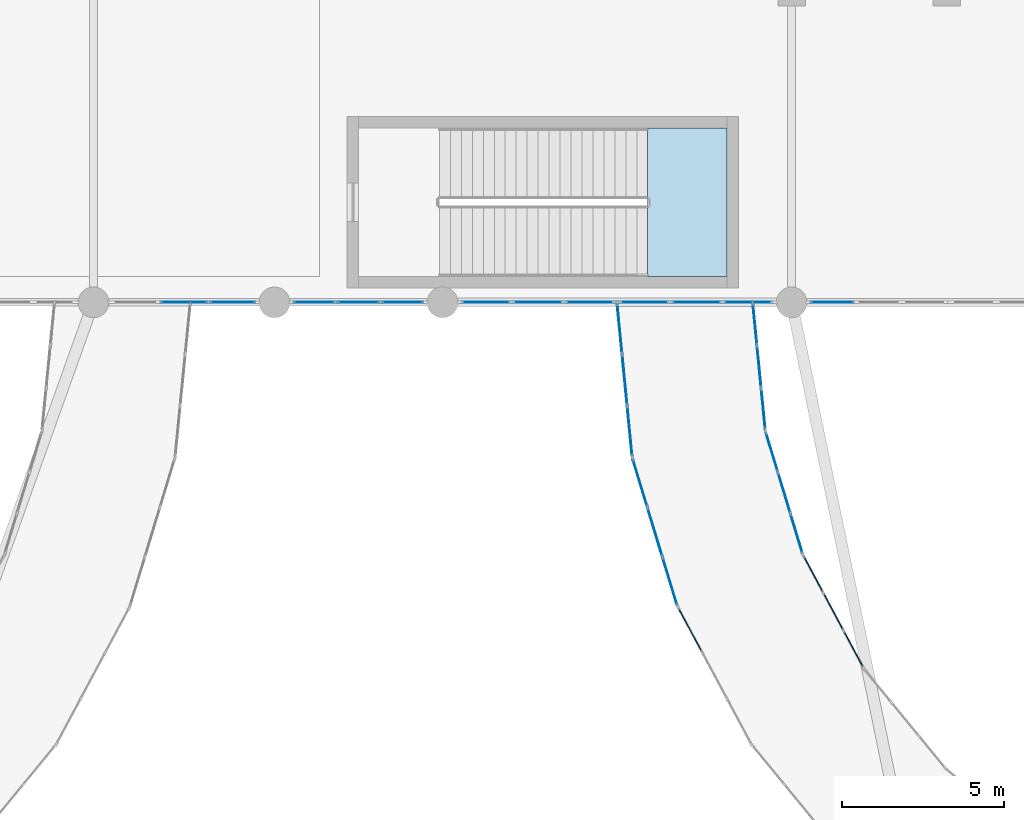
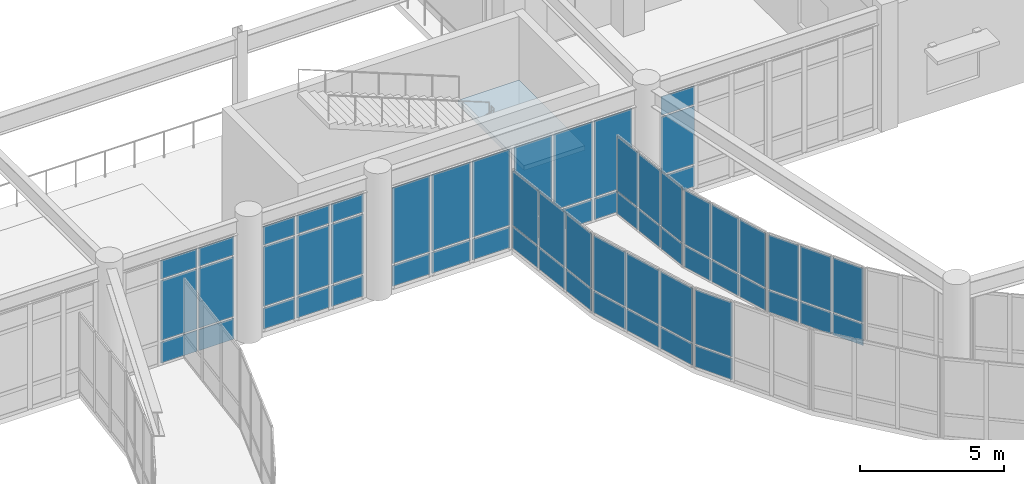
# One storey, part 43 of 72: 62 plates, 1 slab, 12 elements without a shape of their own.
"""IFC4 building model written with IfcOpenShell, lengths in metres."""

from ifc_helpers import new_model, si_unit, direction, frame, origin, origin_2d, place, context, subcontext, project, spatial, polyline, rectangle, outline, extrude, material, layer, layer_set, type_object, element, aggregate, save


model = new_model("IFC4")

# Units and contexts
model_context = context("Model", 3, precision=1e-05, world=origin(), true_north=direction((0.0, 1.0)))
body_context = subcontext(model_context, "Body", "Model", "MODEL_VIEW")
ifc_project = project(units=[si_unit("LENGTHUNIT", "METRE"), si_unit("AREAUNIT", "SQUARE_METRE"), si_unit("VOLUMEUNIT", "CUBIC_METRE"), si_unit("PLANEANGLEUNIT", "RADIAN"), si_unit("MASSUNIT", "GRAM", prefix="KILO")], contexts=[model_context])

# Site, building, storey
site_placement = place(None, origin())
site = spatial("IfcSite", under=ifc_project, at=site_placement, CompositionType="ELEMENT")
building_placement = place(site_placement, origin())
building = spatial("IfcBuilding", under=site, at=building_placement, Name="Veldera Park Congress Hotel", CompositionType="ELEMENT")
storey_placement = place(building_placement, frame((0.0, 0.0, 5.39990234375)))
storey = spatial("IfcBuildingStorey", under=building, at=storey_placement, Name="L01", CompositionType="ELEMENT", Elevation=5.39990234375)

# Curtain wall, plates
ifc_material_1 = material(Name="Low-E Triple Insulating Glass Unit (SHGC 0.22)", Category="glass")
curtain_wall_type_1 = type_object("IfcCurtainWallType", Name="CW-POD", PredefinedType="NOTDEFINED", material=ifc_material_1)
curtain_wall_1_placement = place(storey_placement, origin())
curtain_wall_1 = element("IfcCurtainWall", 1, at=curtain_wall_1_placement, inside=storey, type_object=curtain_wall_type_1, Name="L01 Curtain Wall CW3-V2S-L01-033", PredefinedType="NOTDEFINED")
ifc_layer_1 = layer(ifc_material_1, 0.028076171875)
ifc_layer_set_1 = layer_set([ifc_layer_1], Name="Low-E Triple Insulating Glass Unit (SHGC 0.22)")
plate_type = type_object("IfcPlateType", Name="CWP-IGU28", PredefinedType="CURTAIN_PANEL", material=ifc_layer_set_1)
plate_1_placement = place(storey_placement, frame((22.800048828125, 17.39990234375, 0.0751953125), z_axis=(0.0, 0.0, 1.0), x_axis=(1.0, 0.0, 0.0)))
plate_1 = element("IfcPlate", 2, at=plate_1_placement, type_object=plate_type, Name="CW-POD panel 2.1", PredefinedType="CURTAIN_PANEL", context=body_context, shape_type="SweptSolid", body=[
    extrude(rectangle(XDim=1.4482421875, YDim=0.028076171875, at=origin_2d()), origin(), (0.0, 0.0, 1.0), 0.887451171875),
])
plate_2_placement = place(storey_placement, frame((22.800048828125, 17.39990234375, 1.03759765625), z_axis=(0.0, 0.0, 1.0), x_axis=(1.0, 0.0, 0.0)))
plate_2 = element("IfcPlate", 3, at=plate_2_placement, type_object=plate_type, Name="CW-POD panel 2.2", PredefinedType="CURTAIN_PANEL", context=body_context, shape_type="SweptSolid", body=[
    extrude(rectangle(XDim=1.4482421875, YDim=0.028076171875, at=origin_2d()), origin(), (0.0, 0.0, 1.0), 2.5380859375),
])
plate_3_placement = place(storey_placement, frame((22.800048828125, 17.39990234375, 3.650634765625), z_axis=(0.0, 0.0, 1.0), x_axis=(1.0, 0.0, 0.0)))
plate_3 = element("IfcPlate", 4, at=plate_3_placement, type_object=plate_type, Name="CW-POD panel 2.3", PredefinedType="CURTAIN_PANEL", context=body_context, shape_type="SweptSolid", body=[
    extrude(rectangle(XDim=1.4482421875, YDim=0.028076171875, at=origin_2d()), origin(), (0.0, 0.0, 1.0), 0.78759765625),
])
plate_4_placement = place(storey_placement, frame((24.3046875, 17.39990234375, 0.0751953125), z_axis=(0.0, 0.0, 1.0), x_axis=(1.0, 0.0, 0.0)))
plate_4 = element("IfcPlate", 5, at=plate_4_placement, type_object=plate_type, Name="CW-POD panel 3.1", PredefinedType="CURTAIN_PANEL", context=body_context, shape_type="SweptSolid", body=[
    extrude(rectangle(XDim=1.410888671875, YDim=0.028076171875, at=origin_2d()), origin(), (0.0, 0.0, 1.0), 0.887451171875),
])
plate_5_placement = place(storey_placement, frame((24.3046875, 17.39990234375, 1.03759765625), z_axis=(0.0, 0.0, 1.0), x_axis=(1.0, 0.0, 0.0)))
plate_5 = element("IfcPlate", 6, at=plate_5_placement, type_object=plate_type, Name="CW-POD panel 3.2", PredefinedType="CURTAIN_PANEL", context=body_context, shape_type="SweptSolid", body=[
    extrude(rectangle(XDim=1.410888671875, YDim=0.028076171875, at=origin_2d()), origin(), (0.0, 0.0, 1.0), 2.5380859375),
])
plate_6_placement = place(storey_placement, frame((24.3046875, 17.39990234375, 3.650634765625), z_axis=(0.0, 0.0, 1.0), x_axis=(1.0, 0.0, 0.0)))
plate_6 = element("IfcPlate", 7, at=plate_6_placement, type_object=plate_type, Name="CW-POD panel 3.3", PredefinedType="CURTAIN_PANEL", context=body_context, shape_type="SweptSolid", body=[
    extrude(rectangle(XDim=1.410888671875, YDim=0.028076171875, at=origin_2d()), origin(), (0.0, 0.0, 1.0), 0.78759765625),
])
aggregate(curtain_wall_1, [plate_1, plate_2, plate_3, plate_4, plate_5, plate_6])

curtain_wall_2_placement = place(storey_placement, origin())
curtain_wall_2 = element("IfcCurtainWall", 8, at=curtain_wall_2_placement, inside=storey, type_object=curtain_wall_type_1, Name="L01 Curtain Wall CW3-V2S-L01-034", PredefinedType="NOTDEFINED")
plate_7_placement = place(storey_placement, frame((26.828857421875, 17.39990234375, 0.0751953125), z_axis=(0.0, 0.0, 1.0), x_axis=(1.0, 0.0, 0.0)))
plate_7 = element("IfcPlate", 9, at=plate_7_placement, type_object=plate_type, Name="CW-POD panel 1.1", PredefinedType="CURTAIN_PANEL", context=body_context, shape_type="SweptSolid", body=[
    extrude(rectangle(XDim=1.277587890625, YDim=0.028076171875, at=origin_2d()), origin(), (0.0, 0.0, 1.0), 0.887451171875),
])
plate_8_placement = place(storey_placement, frame((26.828857421875, 17.39990234375, 1.03759765625), z_axis=(0.0, 0.0, 1.0), x_axis=(1.0, 0.0, 0.0)))
plate_8 = element("IfcPlate", 10, at=plate_8_placement, type_object=plate_type, Name="CW-POD panel 1.2", PredefinedType="CURTAIN_PANEL", context=body_context, shape_type="SweptSolid", body=[
    extrude(rectangle(XDim=1.277587890625, YDim=0.028076171875, at=origin_2d()), origin(), (0.0, 0.0, 1.0), 2.5380859375),
])
plate_9_placement = place(storey_placement, frame((26.828857421875, 17.39990234375, 3.650634765625), z_axis=(0.0, 0.0, 1.0), x_axis=(1.0, 0.0, 0.0)))
plate_9 = element("IfcPlate", 11, at=plate_9_placement, type_object=plate_type, Name="CW-POD panel 1.3", PredefinedType="CURTAIN_PANEL", context=body_context, shape_type="SweptSolid", body=[
    extrude(rectangle(XDim=1.277587890625, YDim=0.028076171875, at=origin_2d()), origin(), (0.0, 0.0, 1.0), 0.78759765625),
])
plate_10_placement = place(storey_placement, frame((28.199951171875, 17.39990234375, 0.0751953125), z_axis=(0.0, 0.0, 1.0), x_axis=(1.0, 0.0, 0.0)))
plate_10 = element("IfcPlate", 12, at=plate_10_placement, type_object=plate_type, Name="CW-POD panel 2.1", PredefinedType="CURTAIN_PANEL", context=body_context, shape_type="SweptSolid", body=[
    extrude(rectangle(XDim=1.31494140625, YDim=0.028076171875, at=origin_2d()), origin(), (0.0, 0.0, 1.0), 0.887451171875),
])
plate_11_placement = place(storey_placement, frame((28.199951171875, 17.39990234375, 1.03759765625), z_axis=(0.0, 0.0, 1.0), x_axis=(1.0, 0.0, 0.0)))
plate_11 = element("IfcPlate", 13, at=plate_11_placement, type_object=plate_type, Name="CW-POD panel 2.2", PredefinedType="CURTAIN_PANEL", context=body_context, shape_type="SweptSolid", body=[
    extrude(rectangle(XDim=1.31494140625, YDim=0.028076171875, at=origin_2d()), origin(), (0.0, 0.0, 1.0), 2.5380859375),
])
plate_12_placement = place(storey_placement, frame((28.199951171875, 17.39990234375, 3.650634765625), z_axis=(0.0, 0.0, 1.0), x_axis=(1.0, 0.0, 0.0)))
plate_12 = element("IfcPlate", 14, at=plate_12_placement, type_object=plate_type, Name="CW-POD panel 2.3", PredefinedType="CURTAIN_PANEL", context=body_context, shape_type="SweptSolid", body=[
    extrude(rectangle(XDim=1.31494140625, YDim=0.028076171875, at=origin_2d()), origin(), (0.0, 0.0, 1.0), 0.78759765625),
])
plate_13_placement = place(storey_placement, frame((29.5712890625, 17.39990234375, 0.0751953125), z_axis=(0.0, 0.0, 1.0), x_axis=(1.0, 0.0, 0.0)))
plate_13 = element("IfcPlate", 15, at=plate_13_placement, type_object=plate_type, Name="CW-POD panel 3.1", PredefinedType="CURTAIN_PANEL", context=body_context, shape_type="SweptSolid", body=[
    extrude(rectangle(XDim=1.277587890625, YDim=0.028076171875, at=origin_2d()), origin(), (0.0, 0.0, 1.0), 0.887451171875),
])
plate_14_placement = place(storey_placement, frame((29.5712890625, 17.39990234375, 1.03759765625), z_axis=(0.0, 0.0, 1.0), x_axis=(1.0, 0.0, 0.0)))
plate_14 = element("IfcPlate", 16, at=plate_14_placement, type_object=plate_type, Name="CW-POD panel 3.2", PredefinedType="CURTAIN_PANEL", context=body_context, shape_type="SweptSolid", body=[
    extrude(rectangle(XDim=1.277587890625, YDim=0.028076171875, at=origin_2d()), origin(), (0.0, 0.0, 1.0), 2.5380859375),
])
plate_15_placement = place(storey_placement, frame((29.5712890625, 17.39990234375, 3.650634765625), z_axis=(0.0, 0.0, 1.0), x_axis=(1.0, 0.0, 0.0)))
plate_15 = element("IfcPlate", 17, at=plate_15_placement, type_object=plate_type, Name="CW-POD panel 3.3", PredefinedType="CURTAIN_PANEL", context=body_context, shape_type="SweptSolid", body=[
    extrude(rectangle(XDim=1.277587890625, YDim=0.028076171875, at=origin_2d()), origin(), (0.0, 0.0, 1.0), 0.78759765625),
])
aggregate(curtain_wall_2, [plate_7, plate_8, plate_9, plate_10, plate_11, plate_12, plate_13, plate_14, plate_15])

curtain_wall_3_placement = place(storey_placement, origin())
curtain_wall_3 = element("IfcCurtainWall", 18, at=curtain_wall_3_placement, inside=storey, type_object=curtain_wall_type_1, Name="L01 Curtain Wall CW3-V2S-L01-035", PredefinedType="NOTDEFINED")
plate_16_placement = place(storey_placement, frame((32.1455078125, 17.39990234375, 0.0751953125), z_axis=(0.0, 0.0, 1.0), x_axis=(1.0, 0.0, 0.0)))
plate_16 = element("IfcPlate", 19, at=plate_16_placement, type_object=plate_type, Name="CW-POD panel 1.1", PredefinedType="CURTAIN_PANEL", context=body_context, shape_type="SweptSolid", body=[
    extrude(rectangle(XDim=1.5107421875, YDim=0.028076171875, at=origin_2d()), origin(), (0.0, 0.0, 1.0), 0.887451171875),
])
plate_17_placement = place(storey_placement, frame((32.1455078125, 17.39990234375, 1.03759765625), z_axis=(0.0, 0.0, 1.0), x_axis=(1.0, 0.0, 0.0)))
plate_17 = element("IfcPlate", 20, at=plate_17_placement, type_object=plate_type, Name="CW-POD panel 1.2", PredefinedType="CURTAIN_PANEL", context=body_context, shape_type="SweptSolid", body=[
    extrude(rectangle(XDim=1.5107421875, YDim=0.028076171875, at=origin_2d()), origin(), (0.0, 0.0, 1.0), 3.2333984375),
])
plate_18_placement = place(storey_placement, frame((33.75, 17.39990234375, 0.0751953125), z_axis=(0.0, 0.0, 1.0), x_axis=(1.0, 0.0, 0.0)))
plate_18 = element("IfcPlate", 21, at=plate_18_placement, type_object=plate_type, Name="CW-POD panel 2.1", PredefinedType="CURTAIN_PANEL", context=body_context, shape_type="SweptSolid", body=[
    extrude(rectangle(XDim=1.54833984375, YDim=0.028076171875, at=origin_2d()), origin(), (0.0, 0.0, 1.0), 0.887451171875),
])
plate_19_placement = place(storey_placement, frame((33.75, 17.39990234375, 1.03759765625), z_axis=(0.0, 0.0, 1.0), x_axis=(1.0, 0.0, 0.0)))
plate_19 = element("IfcPlate", 22, at=plate_19_placement, type_object=plate_type, Name="CW-POD panel 2.2", PredefinedType="CURTAIN_PANEL", context=body_context, shape_type="SweptSolid", body=[
    extrude(rectangle(XDim=1.54833984375, YDim=0.028076171875, at=origin_2d()), origin(), (0.0, 0.0, 1.0), 3.2333984375),
])
plate_20_placement = place(storey_placement, frame((35.3544921875, 17.39990234375, 0.0751953125), z_axis=(0.0, 0.0, 1.0), x_axis=(1.0, 0.0, 0.0)))
plate_20 = element("IfcPlate", 23, at=plate_20_placement, type_object=plate_type, Name="CW-POD panel 3.1", PredefinedType="CURTAIN_PANEL", context=body_context, shape_type="SweptSolid", body=[
    extrude(rectangle(XDim=1.5107421875, YDim=0.028076171875, at=origin_2d()), origin(), (0.0, 0.0, 1.0), 0.887451171875),
])
plate_21_placement = place(storey_placement, frame((35.3544921875, 17.39990234375, 1.03759765625), z_axis=(0.0, 0.0, 1.0), x_axis=(1.0, 0.0, 0.0)))
plate_21 = element("IfcPlate", 24, at=plate_21_placement, type_object=plate_type, Name="CW-POD panel 3.2", PredefinedType="CURTAIN_PANEL", context=body_context, shape_type="SweptSolid", body=[
    extrude(rectangle(XDim=1.5107421875, YDim=0.028076171875, at=origin_2d()), origin(), (0.0, 0.0, 1.0), 3.2333984375),
])
aggregate(curtain_wall_3, [plate_16, plate_17, plate_18, plate_19, plate_20, plate_21])

curtain_wall_4_placement = place(storey_placement, origin())
curtain_wall_4 = element("IfcCurtainWall", 25, at=curtain_wall_4_placement, inside=storey, type_object=curtain_wall_type_1, Name="L01 Curtain Wall CW3-V2S-L01-036", PredefinedType="NOTDEFINED")
plate_22_placement = place(storey_placement, frame((37.04541015625, 17.39990234375, 0.0751953125), z_axis=(0.0, 0.0, 1.0), x_axis=(1.0, 0.0, 0.0)))
plate_22 = element("IfcPlate", 26, at=plate_22_placement, type_object=plate_type, Name="CW-POD panel 1.1", PredefinedType="CURTAIN_PANEL", context=body_context, shape_type="SweptSolid", body=[
    extrude(rectangle(XDim=1.5107421875, YDim=0.028076171875, at=origin_2d()), origin(), (0.0, 0.0, 1.0), 0.887451171875),
])
plate_23_placement = place(storey_placement, frame((37.04541015625, 17.39990234375, 1.03759765625), z_axis=(0.0, 0.0, 1.0), x_axis=(1.0, 0.0, 0.0)))
plate_23 = element("IfcPlate", 27, at=plate_23_placement, type_object=plate_type, Name="CW-POD panel 1.2", PredefinedType="CURTAIN_PANEL", context=body_context, shape_type="SweptSolid", body=[
    extrude(rectangle(XDim=1.5107421875, YDim=0.028076171875, at=origin_2d()), origin(), (0.0, 0.0, 1.0), 3.2333984375),
])
plate_24_placement = place(storey_placement, frame((38.64990234375, 17.39990234375, 0.0751953125), z_axis=(0.0, 0.0, 1.0), x_axis=(1.0, 0.0, 0.0)))
plate_24 = element("IfcPlate", 28, at=plate_24_placement, type_object=plate_type, Name="CW-POD panel 2.1", PredefinedType="CURTAIN_PANEL", context=body_context, shape_type="SweptSolid", body=[
    extrude(rectangle(XDim=1.54833984375, YDim=0.028076171875, at=origin_2d()), origin(), (0.0, 0.0, 1.0), 0.887451171875),
])
plate_25_placement = place(storey_placement, frame((38.64990234375, 17.39990234375, 1.03759765625), z_axis=(0.0, 0.0, 1.0), x_axis=(1.0, 0.0, 0.0)))
plate_25 = element("IfcPlate", 29, at=plate_25_placement, type_object=plate_type, Name="CW-POD panel 2.2", PredefinedType="CURTAIN_PANEL", context=body_context, shape_type="SweptSolid", body=[
    extrude(rectangle(XDim=1.54833984375, YDim=0.028076171875, at=origin_2d()), origin(), (0.0, 0.0, 1.0), 3.2333984375),
])
plate_26_placement = place(storey_placement, frame((40.254638671875, 17.39990234375, 0.0751953125), z_axis=(0.0, 0.0, 1.0), x_axis=(1.0, 0.0, 0.0)))
plate_26 = element("IfcPlate", 30, at=plate_26_placement, type_object=plate_type, Name="CW-POD panel 3.1", PredefinedType="CURTAIN_PANEL", context=body_context, shape_type="SweptSolid", body=[
    extrude(rectangle(XDim=1.5107421875, YDim=0.028076171875, at=origin_2d()), origin(), (0.0, 0.0, 1.0), 0.887451171875),
])
plate_27_placement = place(storey_placement, frame((40.254638671875, 17.39990234375, 1.03759765625), z_axis=(0.0, 0.0, 1.0), x_axis=(1.0, 0.0, 0.0)))
plate_27 = element("IfcPlate", 31, at=plate_27_placement, type_object=plate_type, Name="CW-POD panel 3.2", PredefinedType="CURTAIN_PANEL", context=body_context, shape_type="SweptSolid", body=[
    extrude(rectangle(XDim=1.5107421875, YDim=0.028076171875, at=origin_2d()), origin(), (0.0, 0.0, 1.0), 3.2333984375),
])
aggregate(curtain_wall_4, [plate_22, plate_23, plate_24, plate_25, plate_26, plate_27])

curtain_wall_5_placement = place(storey_placement, origin())
curtain_wall_5 = element("IfcCurtainWall", 32, at=curtain_wall_5_placement, inside=storey, type_object=curtain_wall_type_1, Name="L01 Curtain Wall CW3-V2S-L01-037", PredefinedType="NOTDEFINED")
plate_28_placement = place(storey_placement, frame((42.85791015625, 17.39990234375, 0.0751953125), z_axis=(0.0, 0.0, 1.0), x_axis=(1.0, 0.0, 0.0)))
plate_28 = element("IfcPlate", 33, at=plate_28_placement, type_object=plate_type, Name="CW-POD panel 1.1", PredefinedType="CURTAIN_PANEL", context=body_context, shape_type="SweptSolid", body=[
    extrude(rectangle(XDim=1.3359375, YDim=0.028076171875, at=origin_2d()), origin(), (0.0, 0.0, 1.0), 0.887451171875),
])
plate_29_placement = place(storey_placement, frame((42.85791015625, 17.39990234375, 1.03759765625), z_axis=(0.0, 0.0, 1.0), x_axis=(1.0, 0.0, 0.0)))
plate_29 = element("IfcPlate", 34, at=plate_29_placement, type_object=plate_type, Name="CW-POD panel 1.2", PredefinedType="CURTAIN_PANEL", context=body_context, shape_type="SweptSolid", body=[
    extrude(rectangle(XDim=1.3359375, YDim=0.028076171875, at=origin_2d()), origin(), (0.0, 0.0, 1.0), 2.45703125),
])
plate_30_placement = place(storey_placement, frame((42.85791015625, 17.39990234375, 3.569580078125), z_axis=(0.0, 0.0, 1.0), x_axis=(1.0, 0.0, 0.0)))
plate_30 = element("IfcPlate", 35, at=plate_30_placement, type_object=plate_type, Name="CW-POD panel 1.3", PredefinedType="CURTAIN_PANEL", context=body_context, shape_type="SweptSolid", body=[
    extrude(rectangle(XDim=1.3359375, YDim=0.028076171875, at=origin_2d()), origin(), (0.0, 0.0, 1.0), 0.78759765625),
])
aggregate(curtain_wall_5, [plate_28, plate_29, plate_30])

curtain_wall_type_2 = type_object("IfcCurtainWallType", Name="CW-BRG", PredefinedType="NOTDEFINED", material=ifc_material_1)
curtain_wall_6_placement = place(storey_placement, origin())
curtain_wall_6 = element("IfcCurtainWall", 36, at=curtain_wall_6_placement, inside=storey, type_object=curtain_wall_type_2, Name="L01 Curtain Wall CW3-BRGE-L01-A00", PredefinedType="NOTDEFINED")
plate_31_placement = place(storey_placement, frame((36.2802734375, 16.585205078125, 0.06005859375), z_axis=(0.0, 0.0, 1.0), x_axis=(0.098021259481, -0.995184320963, 0.0)))
plate_31 = element("IfcPlate", 37, at=plate_31_placement, type_object=plate_type, Name="CW-BRG panel 1.1", PredefinedType="CURTAIN_PANEL", context=body_context, shape_type="SweptSolid", body=[
    extrude(rectangle(XDim=1.517578125, YDim=0.028076171875, at=origin_2d()), origin(), (0.0, 0.0, 1.0), 0.909912109375),
])
plate_32_placement = place(storey_placement, frame((36.2802734375, 16.585205078125, 1.030029296875), z_axis=(0.0, 0.0, 1.0), x_axis=(0.098021259481, -0.995184320963, 0.0)))
plate_32 = element("IfcPlate", 38, at=plate_32_placement, type_object=plate_type, Name="CW-BRG panel 1.2", PredefinedType="CURTAIN_PANEL", context=body_context, shape_type="SweptSolid", body=[
    extrude(rectangle(XDim=1.517578125, YDim=0.028076171875, at=origin_2d()), origin(), (0.0, 0.0, 1.0), 2.31005859375),
])
plate_33_placement = place(storey_placement, frame((36.436279296875, 15.00048828125, 0.06005859375), z_axis=(0.0, 0.0, 1.0), x_axis=(0.098021259481, -0.995184320963, 0.0)))
plate_33 = element("IfcPlate", 39, at=plate_33_placement, type_object=plate_type, Name="CW-BRG panel 2.1", PredefinedType="CURTAIN_PANEL", context=body_context, shape_type="SweptSolid", body=[
    extrude(rectangle(XDim=1.54736328125, YDim=0.028076171875, at=origin_2d()), origin(), (0.0, 0.0, 1.0), 0.909912109375),
])
plate_34_placement = place(storey_placement, frame((36.436279296875, 15.00048828125, 1.030029296875), z_axis=(0.0, 0.0, 1.0), x_axis=(0.098021259481, -0.995184320963, 0.0)))
plate_34 = element("IfcPlate", 40, at=plate_34_placement, type_object=plate_type, Name="CW-BRG panel 2.2", PredefinedType="CURTAIN_PANEL", context=body_context, shape_type="SweptSolid", body=[
    extrude(rectangle(XDim=1.54736328125, YDim=0.028076171875, at=origin_2d()), origin(), (0.0, 0.0, 1.0), 2.31005859375),
])
plate_35_placement = place(storey_placement, frame((36.592529296875, 13.41552734375, 0.06005859375), z_axis=(0.0, 0.0, 1.0), x_axis=(0.098021259481, -0.995184320963, 0.0)))
plate_35 = element("IfcPlate", 41, at=plate_35_placement, type_object=plate_type, Name="CW-BRG panel 3.1", PredefinedType="CURTAIN_PANEL", context=body_context, shape_type="SweptSolid", body=[
    extrude(rectangle(XDim=1.517578125, YDim=0.028076171875, at=origin_2d()), origin(), (0.0, 0.0, 1.0), 0.909912109375),
])
plate_36_placement = place(storey_placement, frame((36.592529296875, 13.41552734375, 1.030029296875), z_axis=(0.0, 0.0, 1.0), x_axis=(0.098021259481, -0.995184320963, 0.0)))
plate_36 = element("IfcPlate", 42, at=plate_36_placement, type_object=plate_type, Name="CW-BRG panel 3.2", PredefinedType="CURTAIN_PANEL", context=body_context, shape_type="SweptSolid", body=[
    extrude(rectangle(XDim=1.517578125, YDim=0.028076171875, at=origin_2d()), origin(), (0.0, 0.0, 1.0), 2.31005859375),
])
aggregate(curtain_wall_6, [plate_31, plate_32, plate_33, plate_34, plate_35, plate_36])

curtain_wall_7_placement = place(storey_placement, origin())
curtain_wall_7 = element("IfcCurtainWall", 43, at=curtain_wall_7_placement, inside=storey, type_object=curtain_wall_type_2, Name="L01 Curtain Wall CW3-BRGE-L01-A01", PredefinedType="NOTDEFINED")
plate_37_placement = place(storey_placement, frame((36.910400390625, 11.8173828125, 0.06005859375), z_axis=(0.0, 0.0, 1.0), x_axis=(0.290287663177, -0.956939429957, 0.0)))
plate_37 = element("IfcPlate", 44, at=plate_37_placement, type_object=plate_type, Name="CW-BRG panel 1.1", PredefinedType="CURTAIN_PANEL", context=body_context, shape_type="SweptSolid", body=[
    extrude(rectangle(XDim=1.517578125, YDim=0.028076171875, at=origin_2d()), origin(), (0.0, 0.0, 1.0), 0.909912109375),
])
plate_38_placement = place(storey_placement, frame((36.910400390625, 11.8173828125, 1.030029296875), z_axis=(0.0, 0.0, 1.0), x_axis=(0.290287663177, -0.956939429957, 0.0)))
plate_38 = element("IfcPlate", 45, at=plate_38_placement, type_object=plate_type, Name="CW-BRG panel 1.2", PredefinedType="CURTAIN_PANEL", context=body_context, shape_type="SweptSolid", body=[
    extrude(rectangle(XDim=1.517578125, YDim=0.028076171875, at=origin_2d()), origin(), (0.0, 0.0, 1.0), 2.31005859375),
])
plate_39_placement = place(storey_placement, frame((37.37255859375, 10.29345703125, 0.06005859375), z_axis=(0.0, 0.0, 1.0), x_axis=(0.290287663177, -0.956939429957, 0.0)))
plate_39 = element("IfcPlate", 46, at=plate_39_placement, type_object=plate_type, Name="CW-BRG panel 2.1", PredefinedType="CURTAIN_PANEL", context=body_context, shape_type="SweptSolid", body=[
    extrude(rectangle(XDim=1.547607421875, YDim=0.028076171875, at=origin_2d()), origin(), (0.0, 0.0, 1.0), 0.909912109375),
])
plate_40_placement = place(storey_placement, frame((37.37255859375, 10.29345703125, 1.030029296875), z_axis=(0.0, 0.0, 1.0), x_axis=(0.290287663177, -0.956939429957, 0.0)))
plate_40 = element("IfcPlate", 47, at=plate_40_placement, type_object=plate_type, Name="CW-BRG panel 2.2", PredefinedType="CURTAIN_PANEL", context=body_context, shape_type="SweptSolid", body=[
    extrude(rectangle(XDim=1.547607421875, YDim=0.028076171875, at=origin_2d()), origin(), (0.0, 0.0, 1.0), 2.31005859375),
])
plate_41_placement = place(storey_placement, frame((37.8349609375, 8.76953125, 0.06005859375), z_axis=(0.0, 0.0, 1.0), x_axis=(0.290287663177, -0.956939429957, 0.0)))
plate_41 = element("IfcPlate", 48, at=plate_41_placement, type_object=plate_type, Name="CW-BRG panel 3.1", PredefinedType="CURTAIN_PANEL", context=body_context, shape_type="SweptSolid", body=[
    extrude(rectangle(XDim=1.517578125, YDim=0.028076171875, at=origin_2d()), origin(), (0.0, 0.0, 1.0), 0.909912109375),
])
plate_42_placement = place(storey_placement, frame((37.8349609375, 8.76953125, 1.030029296875), z_axis=(0.0, 0.0, 1.0), x_axis=(0.290287663177, -0.956939429957, 0.0)))
plate_42 = element("IfcPlate", 49, at=plate_42_placement, type_object=plate_type, Name="CW-BRG panel 3.2", PredefinedType="CURTAIN_PANEL", context=body_context, shape_type="SweptSolid", body=[
    extrude(rectangle(XDim=1.517578125, YDim=0.028076171875, at=origin_2d()), origin(), (0.0, 0.0, 1.0), 2.31005859375),
])
aggregate(curtain_wall_7, [plate_37, plate_38, plate_39, plate_40, plate_41, plate_42])

curtain_wall_8_placement = place(storey_placement, origin())
curtain_wall_8 = element("IfcCurtainWall", 50, at=curtain_wall_8_placement, inside=storey, type_object=curtain_wall_type_2, Name="L01 Curtain Wall CW3-BRGE-L01-A02", PredefinedType="NOTDEFINED")
plate_43_placement = place(storey_placement, frame((38.45849609375, 7.263916015625, 0.06005859375), z_axis=(0.0, 0.0, 1.0), x_axis=(0.471384501415, -0.881927804203, 0.0)))
plate_43 = element("IfcPlate", 51, at=plate_43_placement, type_object=plate_type, Name="CW-BRG panel 1.1", PredefinedType="CURTAIN_PANEL", context=body_context, shape_type="SweptSolid", body=[
    extrude(rectangle(XDim=1.517578125, YDim=0.028076171875, at=origin_2d()), origin(), (0.0, 0.0, 1.0), 0.909912109375),
])
plate_44_placement = place(storey_placement, frame((38.45849609375, 7.263916015625, 1.030029296875), z_axis=(0.0, 0.0, 1.0), x_axis=(0.471384501415, -0.881927804203, 0.0)))
plate_44 = element("IfcPlate", 52, at=plate_44_placement, type_object=plate_type, Name="CW-BRG panel 1.2", PredefinedType="CURTAIN_PANEL", context=body_context, shape_type="SweptSolid", body=[
    extrude(rectangle(XDim=1.517578125, YDim=0.028076171875, at=origin_2d()), origin(), (0.0, 0.0, 1.0), 2.31005859375),
])
aggregate(curtain_wall_8, [plate_43, plate_44])

curtain_wall_9_placement = place(storey_placement, origin())
curtain_wall_9 = element("IfcCurtainWall", 53, at=curtain_wall_9_placement, inside=storey, type_object=curtain_wall_type_2, Name="L01 Curtain Wall CW3-BRGE-L01-B14", PredefinedType="NOTDEFINED")
plate_45_placement = place(storey_placement, frame((43.516845703125, 6.66748046875, 0.06005859375), z_axis=(0.0, 0.0, 1.0), x_axis=(-0.471383642588, 0.881928263239, 0.0)))
plate_45 = element("IfcPlate", 54, at=plate_45_placement, type_object=plate_type, Name="CW-BRG panel 1.1", PredefinedType="CURTAIN_PANEL", context=body_context, shape_type="SweptSolid", body=[
    extrude(rectangle(XDim=1.242919921875, YDim=0.028076171875, at=origin_2d()), origin(), (0.0, 0.0, 1.0), 0.909912109375),
])
plate_46_placement = place(storey_placement, frame((43.516845703125, 6.66748046875, 1.030029296875), z_axis=(0.0, 0.0, 1.0), x_axis=(-0.471383642588, 0.881928263239, 0.0)))
plate_46 = element("IfcPlate", 55, at=plate_46_placement, type_object=plate_type, Name="CW-BRG panel 1.2", PredefinedType="CURTAIN_PANEL", context=body_context, shape_type="SweptSolid", body=[
    extrude(rectangle(XDim=1.242919921875, YDim=0.028076171875, at=origin_2d()), origin(), (0.0, 0.0, 1.0), 2.31005859375),
])
plate_47_placement = place(storey_placement, frame((42.8955078125, 7.829833984375, 0.06005859375), z_axis=(0.0, 0.0, 1.0), x_axis=(-0.471383642588, 0.881928263239, 0.0)))
plate_47 = element("IfcPlate", 56, at=plate_47_placement, type_object=plate_type, Name="CW-BRG panel 2.1", PredefinedType="CURTAIN_PANEL", context=body_context, shape_type="SweptSolid", body=[
    extrude(rectangle(XDim=1.27294921875, YDim=0.028076171875, at=origin_2d()), origin(), (0.0, 0.0, 1.0), 0.909912109375),
])
plate_48_placement = place(storey_placement, frame((42.8955078125, 7.829833984375, 1.030029296875), z_axis=(0.0, 0.0, 1.0), x_axis=(-0.471383642588, 0.881928263239, 0.0)))
plate_48 = element("IfcPlate", 57, at=plate_48_placement, type_object=plate_type, Name="CW-BRG panel 2.2", PredefinedType="CURTAIN_PANEL", context=body_context, shape_type="SweptSolid", body=[
    extrude(rectangle(XDim=1.27294921875, YDim=0.028076171875, at=origin_2d()), origin(), (0.0, 0.0, 1.0), 2.31005859375),
])
plate_49_placement = place(storey_placement, frame((42.274169921875, 8.9921875, 0.06005859375), z_axis=(0.0, 0.0, 1.0), x_axis=(-0.471383642588, 0.881928263239, 0.0)))
plate_49 = element("IfcPlate", 58, at=plate_49_placement, type_object=plate_type, Name="CW-BRG panel 3.1", PredefinedType="CURTAIN_PANEL", context=body_context, shape_type="SweptSolid", body=[
    extrude(rectangle(XDim=1.242919921875, YDim=0.028076171875, at=origin_2d()), origin(), (0.0, 0.0, 1.0), 0.909912109375),
])
plate_50_placement = place(storey_placement, frame((42.274169921875, 8.9921875, 1.030029296875), z_axis=(0.0, 0.0, 1.0), x_axis=(-0.471383642588, 0.881928263239, 0.0)))
plate_50 = element("IfcPlate", 59, at=plate_50_placement, type_object=plate_type, Name="CW-BRG panel 3.2", PredefinedType="CURTAIN_PANEL", context=body_context, shape_type="SweptSolid", body=[
    extrude(rectangle(XDim=1.242919921875, YDim=0.028076171875, at=origin_2d()), origin(), (0.0, 0.0, 1.0), 2.31005859375),
])
aggregate(curtain_wall_9, [plate_45, plate_46, plate_47, plate_48, plate_49, plate_50])

curtain_wall_10_placement = place(storey_placement, origin())
curtain_wall_10 = element("IfcCurtainWall", 60, at=curtain_wall_10_placement, inside=storey, type_object=curtain_wall_type_2, Name="L01 Curtain Wall CW3-BRGE-L01-B15", PredefinedType="NOTDEFINED")
plate_51_placement = place(storey_placement, frame((41.755126953125, 10.245361328125, 0.06005859375), z_axis=(0.0, 0.0, 1.0), x_axis=(-0.290289846929, 0.956938767513, 0.0)))
plate_51 = element("IfcPlate", 61, at=plate_51_placement, type_object=plate_type, Name="CW-BRG panel 1.1", PredefinedType="CURTAIN_PANEL", context=body_context, shape_type="SweptSolid", body=[
    extrude(rectangle(XDim=1.242919921875, YDim=0.028076171875, at=origin_2d()), origin(), (0.0, 0.0, 1.0), 0.909912109375),
])
plate_52_placement = place(storey_placement, frame((41.755126953125, 10.245361328125, 1.030029296875), z_axis=(0.0, 0.0, 1.0), x_axis=(-0.290289846929, 0.956938767513, 0.0)))
plate_52 = element("IfcPlate", 62, at=plate_52_placement, type_object=plate_type, Name="CW-BRG panel 1.2", PredefinedType="CURTAIN_PANEL", context=body_context, shape_type="SweptSolid", body=[
    extrude(rectangle(XDim=1.242919921875, YDim=0.028076171875, at=origin_2d()), origin(), (0.0, 0.0, 1.0), 2.31005859375),
])
plate_53_placement = place(storey_placement, frame((41.37255859375, 11.5068359375, 0.06005859375), z_axis=(0.0, 0.0, 1.0), x_axis=(-0.290289846929, 0.956938767513, 0.0)))
plate_53 = element("IfcPlate", 63, at=plate_53_placement, type_object=plate_type, Name="CW-BRG panel 2.1", PredefinedType="CURTAIN_PANEL", context=body_context, shape_type="SweptSolid", body=[
    extrude(rectangle(XDim=1.27294921875, YDim=0.028076171875, at=origin_2d()), origin(), (0.0, 0.0, 1.0), 0.909912109375),
])
plate_54_placement = place(storey_placement, frame((41.37255859375, 11.5068359375, 1.030029296875), z_axis=(0.0, 0.0, 1.0), x_axis=(-0.290289846929, 0.956938767513, 0.0)))
plate_54 = element("IfcPlate", 64, at=plate_54_placement, type_object=plate_type, Name="CW-BRG panel 2.2", PredefinedType="CURTAIN_PANEL", context=body_context, shape_type="SweptSolid", body=[
    extrude(rectangle(XDim=1.27294921875, YDim=0.028076171875, at=origin_2d()), origin(), (0.0, 0.0, 1.0), 2.31005859375),
])
plate_55_placement = place(storey_placement, frame((40.98974609375, 12.76806640625, 0.06005859375), z_axis=(0.0, 0.0, 1.0), x_axis=(-0.290289846929, 0.956938767513, 0.0)))
plate_55 = element("IfcPlate", 65, at=plate_55_placement, type_object=plate_type, Name="CW-BRG panel 3.1", PredefinedType="CURTAIN_PANEL", context=body_context, shape_type="SweptSolid", body=[
    extrude(rectangle(XDim=1.242919921875, YDim=0.028076171875, at=origin_2d()), origin(), (0.0, 0.0, 1.0), 0.909912109375),
])
plate_56_placement = place(storey_placement, frame((40.98974609375, 12.76806640625, 1.030029296875), z_axis=(0.0, 0.0, 1.0), x_axis=(-0.290289846929, 0.956938767513, 0.0)))
plate_56 = element("IfcPlate", 66, at=plate_56_placement, type_object=plate_type, Name="CW-BRG panel 3.2", PredefinedType="CURTAIN_PANEL", context=body_context, shape_type="SweptSolid", body=[
    extrude(rectangle(XDim=1.242919921875, YDim=0.028076171875, at=origin_2d()), origin(), (0.0, 0.0, 1.0), 2.31005859375),
])
aggregate(curtain_wall_10, [plate_51, plate_52, plate_53, plate_54, plate_55, plate_56])

curtain_wall_11_placement = place(storey_placement, origin())
curtain_wall_11 = element("IfcCurtainWall", 67, at=curtain_wall_11_placement, inside=storey, type_object=curtain_wall_type_2, Name="L01 Curtain Wall CW3-BRGE-L01-B16", PredefinedType="NOTDEFINED")
plate_57_placement = place(storey_placement, frame((40.72509765625, 14.098388671875, 0.06005859375), z_axis=(0.0, 0.0, 1.0), x_axis=(-0.098023062513, 0.99518414337, 0.0)))
plate_57 = element("IfcPlate", 68, at=plate_57_placement, type_object=plate_type, Name="CW-BRG panel 1.1", PredefinedType="CURTAIN_PANEL", context=body_context, shape_type="SweptSolid", body=[
    extrude(rectangle(XDim=1.242919921875, YDim=0.028076171875, at=origin_2d()), origin(), (0.0, 0.0, 1.0), 0.909912109375),
])
plate_58_placement = place(storey_placement, frame((40.72509765625, 14.098388671875, 1.030029296875), z_axis=(0.0, 0.0, 1.0), x_axis=(-0.098023062513, 0.99518414337, 0.0)))
plate_58 = element("IfcPlate", 69, at=plate_58_placement, type_object=plate_type, Name="CW-BRG panel 1.2", PredefinedType="CURTAIN_PANEL", context=body_context, shape_type="SweptSolid", body=[
    extrude(rectangle(XDim=1.242919921875, YDim=0.028076171875, at=origin_2d()), origin(), (0.0, 0.0, 1.0), 2.31005859375),
])
plate_59_placement = place(storey_placement, frame((40.595947265625, 15.41015625, 0.06005859375), z_axis=(0.0, 0.0, 1.0), x_axis=(-0.098023062513, 0.99518414337, 0.0)))
plate_59 = element("IfcPlate", 70, at=plate_59_placement, type_object=plate_type, Name="CW-BRG panel 2.1", PredefinedType="CURTAIN_PANEL", context=body_context, shape_type="SweptSolid", body=[
    extrude(rectangle(XDim=1.27294921875, YDim=0.028076171875, at=origin_2d()), origin(), (0.0, 0.0, 1.0), 0.909912109375),
])
plate_60_placement = place(storey_placement, frame((40.595947265625, 15.41015625, 1.030029296875), z_axis=(0.0, 0.0, 1.0), x_axis=(-0.098023062513, 0.99518414337, 0.0)))
plate_60 = element("IfcPlate", 71, at=plate_60_placement, type_object=plate_type, Name="CW-BRG panel 2.2", PredefinedType="CURTAIN_PANEL", context=body_context, shape_type="SweptSolid", body=[
    extrude(rectangle(XDim=1.27294921875, YDim=0.028076171875, at=origin_2d()), origin(), (0.0, 0.0, 1.0), 2.31005859375),
])
plate_61_placement = place(storey_placement, frame((40.466796875, 16.7216796875, 0.06005859375), z_axis=(0.0, 0.0, 1.0), x_axis=(-0.098023062513, 0.99518414337, 0.0)))
plate_61 = element("IfcPlate", 72, at=plate_61_placement, type_object=plate_type, Name="CW-BRG panel 3.1", PredefinedType="CURTAIN_PANEL", context=body_context, shape_type="SweptSolid", body=[
    extrude(rectangle(XDim=1.242919921875, YDim=0.028076171875, at=origin_2d()), origin(), (0.0, 0.0, 1.0), 0.909912109375),
])
plate_62_placement = place(storey_placement, frame((40.466796875, 16.7216796875, 1.030029296875), z_axis=(0.0, 0.0, 1.0), x_axis=(-0.098023062513, 0.99518414337, 0.0)))
plate_62 = element("IfcPlate", 73, at=plate_62_placement, type_object=plate_type, Name="CW-BRG panel 3.2", PredefinedType="CURTAIN_PANEL", context=body_context, shape_type="SweptSolid", body=[
    extrude(rectangle(XDim=1.242919921875, YDim=0.028076171875, at=origin_2d()), origin(), (0.0, 0.0, 1.0), 2.31005859375),
])
aggregate(curtain_wall_11, [plate_57, plate_58, plate_59, plate_60, plate_61, plate_62])

# Stair, slab
ifc_material_2 = material(Name="Concrete f'c 40 MPa (5,800 psi)", Category="concrete")
stair_type = type_object("IfcStairType", Name="ST7", PredefinedType="HALF_TURN_STAIR", material=ifc_material_2)
stair_placement = place(storey_placement, origin())
stair = element("IfcStair", 74, at=stair_placement, inside=storey, type_object=stair_type, Name="L01 Protected Exit Stair ST7", PredefinedType="HALF_TURN_STAIR")
ifc_layer_2 = layer(ifc_material_2, 0.199951171875)
ifc_layer_set_2 = layer_set([ifc_layer_2], Name="Concrete f'c 40 MPa (5,800 psi)")
slab_type = type_object("IfcSlabType", Name="SLD-ST7", PredefinedType="LANDING", material=ifc_layer_set_2)
slab_placement = place(storey_placement, frame((0.0, 0.0, 2.5)))
slab = element("IfcSlab", 75, at=slab_placement, type_object=slab_type, Name="ST7 landing 1", PredefinedType="LANDING", context=body_context, shape_type="SweptSolid", body=[
    extrude(outline(polyline([(37.14501953125, 18.199951171875), (39.60009765625, 18.199951171875), (39.60009765625, 22.800048828125), (37.14501953125, 22.800048828125), (37.14501953125, 18.199951171875)])), origin(), (0.0, 0.0, 1.0), 0.2001953125),
])
aggregate(stair, [slab])

save(model, "model.ifc")
